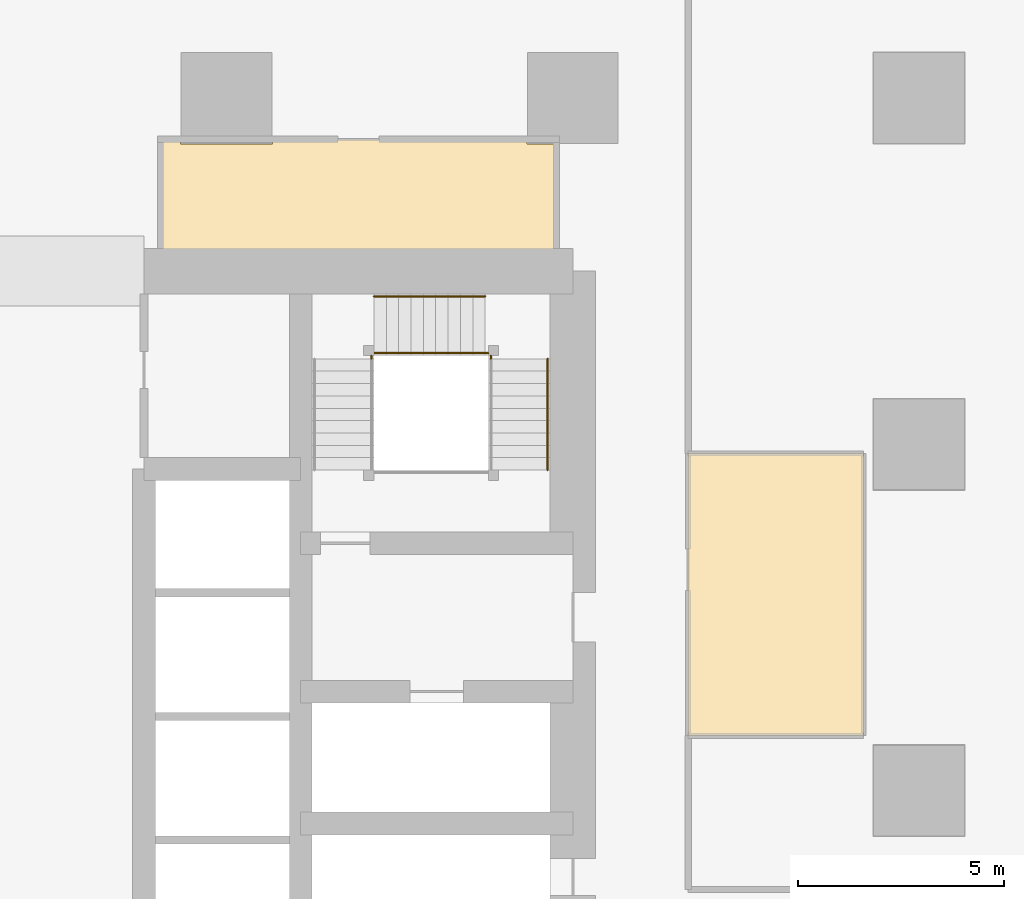
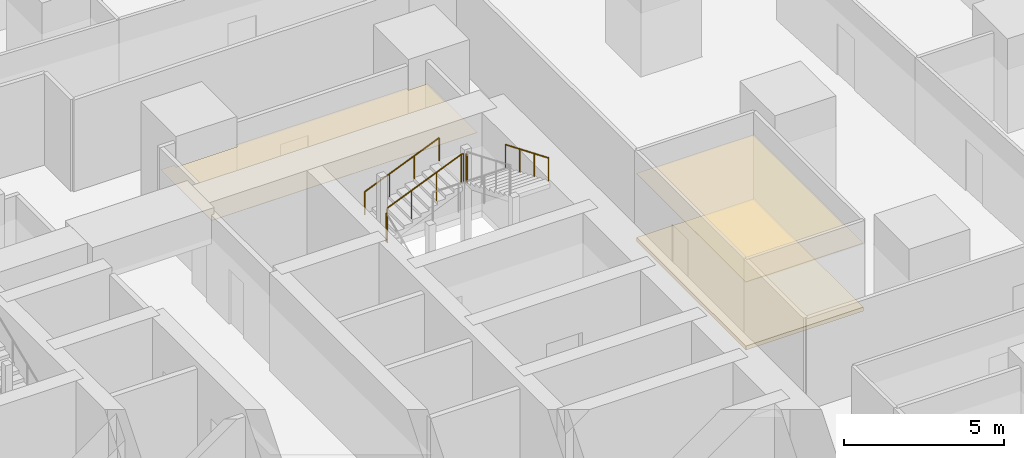
# One storey, part 43 of 44: 6 railings, 3 coverings.
"""IFC4 building model written with IfcOpenShell, lengths in metres."""

from ifc_helpers import new_model, si_unit, direction, frame, origin, origin_2d, place, context, subcontext, project, spatial, polyline, circle, outline, extrude, material, layer, layer_set, type_object, element, save


model = new_model("IFC4")

# Units and contexts
model_context = context("Model", 3, precision=1e-05, world=origin(), true_north=direction((0.0, 1.0)))
body_context = subcontext(model_context, "Body", "Model", "MODEL_VIEW")
ifc_project = project(units=[si_unit("LENGTHUNIT", "METRE"), si_unit("AREAUNIT", "SQUARE_METRE"), si_unit("VOLUMEUNIT", "CUBIC_METRE"), si_unit("PLANEANGLEUNIT", "RADIAN"), si_unit("MASSUNIT", "GRAM", prefix="KILO")], contexts=[model_context])

# Site, building, storey
site_placement = place(None, origin())
site = spatial("IfcSite", under=ifc_project, at=site_placement, CompositionType="ELEMENT")
building_placement = place(site_placement, origin())
building = spatial("IfcBuilding", under=site, at=building_placement, Name="Rekha Terrace Tower", CompositionType="ELEMENT")
storey_placement = place(building_placement, frame((0.0, 0.0, 66.64990234375)))
storey = spatial("IfcBuildingStorey", under=building, at=storey_placement, Name="L16", CompositionType="ELEMENT", Elevation=66.64990234375)

# Coverings
ifc_material_1 = material(Name="Mineral fibre tile in exposed grid", Category="finish")
ifc_layer_1 = layer(ifc_material_1, 0.02001953125)
ifc_layer_set_1 = layer_set([ifc_layer_1], Name="Mineral fibre tile in exposed grid")
covering_type_1 = type_object("IfcCoveringType", Name="CL1 600x1200 office grid ceiling", PredefinedType="CEILING", material=ifc_layer_set_1)
covering_1_placement = place(storey_placement, frame((0.0, 0.0, 2.580078125)))
element("IfcCovering", 1, at=covering_1_placement, inside=storey, type_object=covering_type_1, Name="Ceiling L16-11", PredefinedType="CEILING", context=body_context, shape_type="SweptSolid", body=[
    extrude(outline(polyline([(53.199951171875, 34.931884765625), (57.449951171875, 34.931884765625), (57.449951171875, 41.781005859375), (53.199951171875, 41.781005859375), (53.199951171875, 34.931884765625)])), origin(), (0.0, 0.0, 1.0), 0.02001953125),
])
ifc_material_2 = material(Name="Fibre cement board", Category="finish")
ifc_layer_2 = layer(ifc_material_2, 0.014892578125)
ifc_layer_set_2 = layer_set([ifc_layer_2], Name="Fibre cement board")
covering_type_2 = type_object("IfcCoveringType", Name="CL2 moisture-resistant board ceiling", PredefinedType="CEILING", material=ifc_layer_set_2)
covering_2_placement = place(storey_placement, frame((0.0, 0.0, 2.585205078125)))
element("IfcCovering", 2, at=covering_2_placement, inside=storey, type_object=covering_type_2, Name="Ceiling L16-WCF", PredefinedType="CEILING", context=body_context, shape_type="SweptSolid", body=[
    extrude(outline(polyline([(40.885009765625, 49.39990234375), (40.39990234375, 49.39990234375), (40.39990234375, 46.199951171875), (50.0, 46.199951171875), (50.0, 49.284912109375), (49.284912109375, 49.284912109375), (49.284912109375, 49.39990234375), (43.114990234375, 49.39990234375), (43.114990234375, 49.284912109375), (40.885009765625, 49.284912109375), (40.885009765625, 49.39990234375)])), origin(), (0.0, 0.0, 1.0), 0.014892578125),
])

# Railings
ifc_material_3 = material(Name="Stainless steel balustrade", Category="steel")
railing_type_1 = type_object("IfcRailingType", Name="GR1 1100 stair guard", PredefinedType="GUARDRAIL", material=ifc_material_3)
railing_1_placement = place(storey_placement, frame((45.574951171875, 44.2099609375, 1.375)))
element("IfcRailing", 3, at=railing_1_placement, inside=storey, type_object=railing_type_1, Name="Guard ST2 L16 flight 2", PredefinedType="GUARDRAIL", context=body_context, shape_type="SweptSolid", body=[
    extrude(circle(Radius=0.02392578125, at=origin_2d()), frame((0.0, 0.0, 1.076171875), z_axis=(0.923074453586, 0.0, 0.384621311341), x_axis=(0.0, 1.0, 0.0)), (0.0, 0.0, 1.0), 2.925048828125),
    extrude(circle(Radius=0.02099609375, at=origin_2d()), origin(), (0.0, 0.0, 1.0), 1.052001953125),
    extrude(circle(Radius=0.02099609375, at=origin_2d()), frame((0.89990234375, 0.0, 0.375)), (0.0, 0.0, 1.0), 1.052001953125),
    extrude(circle(Radius=0.02099609375, at=origin_2d()), frame((1.800048828125, 0.0, 0.75)), (0.0, 0.0, 1.0), 1.052001953125),
    extrude(circle(Radius=0.02099609375, at=origin_2d()), frame((2.699951171875, 0.0, 1.125)), (0.0, 0.0, 1.0), 1.052001953125),
])
railing_2_placement = place(storey_placement, frame((45.514892578125, 44.074951171875, 1.25)))
element("IfcRailing", 4, at=railing_2_placement, inside=storey, type_object=railing_type_1, Name="Guard ST2 L16 landing 1", PredefinedType="GUARDRAIL", context=body_context, shape_type="SweptSolid", body=[
    extrude(circle(Radius=0.02392578125, at=origin_2d()), frame((0.0, 0.0, 1.076171875), z_axis=(0.0, 1.0, 0.0), x_axis=(-1.0, 0.0, 0.0)), (0.0, 0.0, 1.0), 0.074951171875),
    extrude(circle(Radius=0.02099609375, at=origin_2d()), origin(), (0.0, 0.0, 1.0), 1.052001953125),
    extrude(circle(Radius=0.02099609375, at=origin_2d()), frame((0.0, 0.074951171875, 0.0)), (0.0, 0.0, 1.0), 1.052001953125),
])
railing_3_placement = place(storey_placement, frame((48.27490234375, 44.2099609375, 2.5)))
element("IfcRailing", 5, at=railing_3_placement, inside=storey, type_object=railing_type_1, Name="Guard ST2 L16 landing 2", PredefinedType="GUARDRAIL", context=body_context, shape_type="SweptSolid", body=[
    extrude(circle(Radius=0.02392578125, at=origin_2d()), frame((0.0, 0.0, 1.076171875), z_axis=(1.0, 0.0, 0.0), x_axis=(0.0, 1.0, 0.0)), (0.0, 0.0, 1.0), 0.0751953125),
    extrude(circle(Radius=0.02099609375, at=origin_2d()), origin(), (0.0, 0.0, 1.0), 1.052001953125),
    extrude(circle(Radius=0.02099609375, at=origin_2d()), frame((0.0751953125, 0.0, 0.0)), (0.0, 0.0, 1.0), 1.052001953125),
])
railing_4_placement = place(storey_placement, frame((48.409912109375, 44.074951171875, 2.5)))
element("IfcRailing", 6, at=railing_4_placement, inside=storey, type_object=railing_type_1, Name="Guard ST2 L16 landing 3", PredefinedType="GUARDRAIL", context=body_context, shape_type="SweptSolid", body=[
    extrude(circle(Radius=0.02392578125, at=origin_2d()), frame((0.0, 0.0, 1.076171875), z_axis=(0.0, 1.0, 0.0), x_axis=(-1.0, 0.0, 0.0)), (0.0, 0.0, 1.0), 0.074951171875),
    extrude(circle(Radius=0.02099609375, at=origin_2d()), origin(), (0.0, 0.0, 1.0), 1.052001953125),
    extrude(circle(Radius=0.02099609375, at=origin_2d()), frame((0.0, 0.074951171875, 0.0)), (0.0, 0.0, 1.0), 1.052001953125),
])
ifc_material_4 = material(Name="Stainless steel tube", Category="steel")
railing_type_2 = type_object("IfcRailingType", Name="HR1 900 stair handrail", PredefinedType="HANDRAIL", material=ifc_material_4)
railing_5_placement = place(storey_placement, frame((45.574951171875, 45.590087890625, 1.375)))
element("IfcRailing", 7, at=railing_5_placement, inside=storey, type_object=railing_type_2, Name="Handrail ST2 L16 flight 2", PredefinedType="HANDRAIL", context=body_context, shape_type="SweptSolid", body=[
    extrude(circle(Radius=0.02392578125, at=origin_2d()), frame((0.0, 0.0, 0.8759765625), z_axis=(0.923074453586, 0.0, 0.384621311341), x_axis=(0.0, 1.0, 0.0)), (0.0, 0.0, 1.0), 2.925048828125),
    extrude(circle(Radius=0.02099609375, at=origin_2d()), origin(), (0.0, 0.0, 1.0), 0.851806640625),
    extrude(circle(Radius=0.02099609375, at=origin_2d()), frame((0.89990234375, 0.0, 0.375)), (0.0, 0.0, 1.0), 0.851806640625),
    extrude(circle(Radius=0.02099609375, at=origin_2d()), frame((1.800048828125, 0.0, 0.75)), (0.0, 0.0, 1.0), 0.851806640625),
    extrude(circle(Radius=0.02099609375, at=origin_2d()), frame((2.699951171875, 0.0, 1.125)), (0.0, 0.0, 1.0), 0.851806640625),
])
railing_6_placement = place(storey_placement, frame((49.7900390625, 44.074951171875, 2.625)))
element("IfcRailing", 8, at=railing_6_placement, inside=storey, type_object=railing_type_2, Name="Handrail ST2 L16 flight 3", PredefinedType="HANDRAIL", context=body_context, shape_type="SweptSolid", body=[
    extrude(circle(Radius=0.02392578125, at=origin_2d()), frame((0.0, 0.0, 0.8759765625), z_axis=(0.0, -0.923074453586, 0.384621311341), x_axis=(1.0, 0.0, 0.0)), (0.0, 0.0, 1.0), 2.925048828125),
    extrude(circle(Radius=0.02099609375, at=origin_2d()), origin(), (0.0, 0.0, 1.0), 0.851806640625),
    extrude(circle(Radius=0.02099609375, at=origin_2d()), frame((0.0, -0.89990234375, 0.375)), (0.0, 0.0, 1.0), 0.851806640625),
    extrude(circle(Radius=0.02099609375, at=origin_2d()), frame((0.0, -1.800048828125, 0.75)), (0.0, 0.0, 1.0), 0.851806640625),
    extrude(circle(Radius=0.02099609375, at=origin_2d()), frame((0.0, -2.699951171875, 1.125)), (0.0, 0.0, 1.0), 0.851806640625),
])

# Covering
ifc_material_5 = material(Name="Calcium sulphate panels on steel pedestals", Category="steel")
ifc_layer_3 = layer(ifc_material_5, 0.14990234375)
ifc_layer_set_3 = layer_set([ifc_layer_3], Name="Calcium sulphate panels on steel pedestals")
covering_type_3 = type_object("IfcCoveringType", Name="RF1 150 raised access floor", PredefinedType="FLOORING", material=ifc_layer_set_3)
covering_3_placement = place(storey_placement, origin())
element("IfcCovering", 9, at=covering_3_placement, inside=storey, type_object=covering_type_3, Name="Raised floor L16-11", PredefinedType="FLOORING", context=body_context, shape_type="SweptSolid", body=[
    extrude(outline(polyline([(53.199951171875, 34.931884765625), (57.449951171875, 34.931884765625), (57.449951171875, 41.781005859375), (53.199951171875, 41.781005859375), (53.199951171875, 34.931884765625)])), origin(), (0.0, 0.0, 1.0), 0.150146484375),
])

save(model, "model.ifc")
